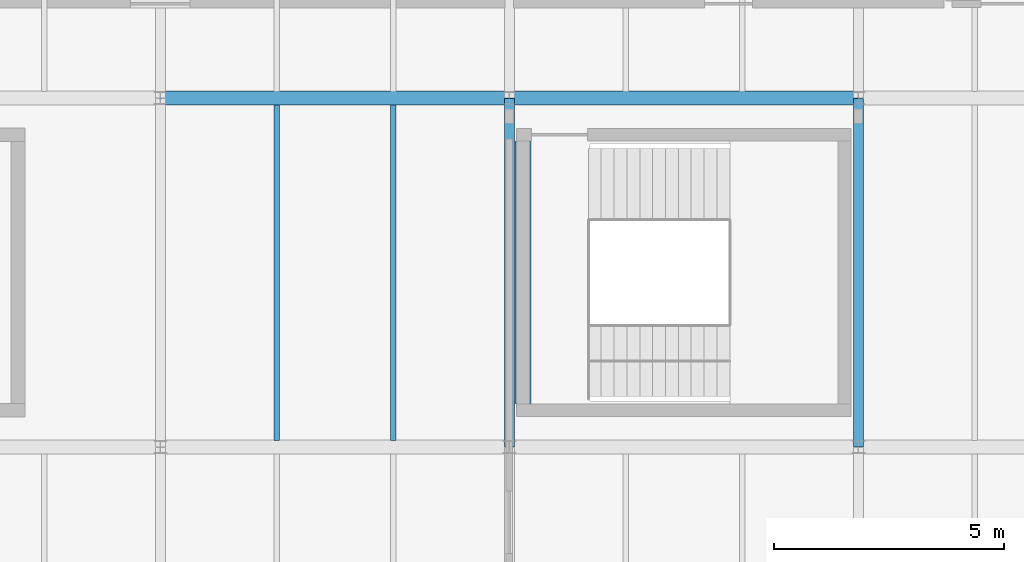
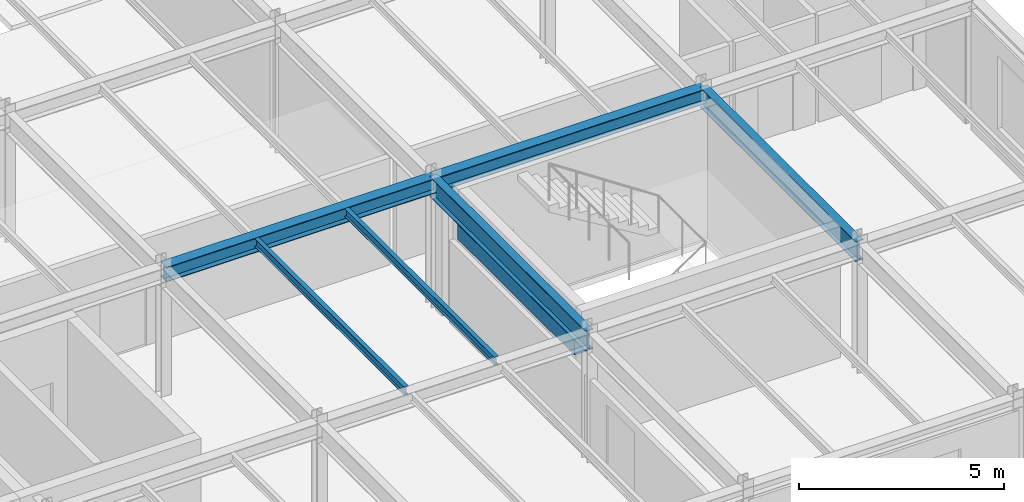
# One storey, part 30 of 165: 7 beams.
"""IFC4 building model written with IfcOpenShell, lengths in metres."""

from ifc_helpers import new_model, si_unit, direction, frame, origin, origin_2d, place, context, subcontext, project, spatial, rectangle, i_section, extrude, material, material_profile, profile_set, type_object, element, save


model = new_model("IFC4")

# Units and contexts
model_context = context("Model", 3, precision=1e-05, world=origin(), true_north=direction((0.0, 1.0)))
body_context = subcontext(model_context, "Body", "Model", "MODEL_VIEW")
ifc_project = project(units=[si_unit("LENGTHUNIT", "METRE"), si_unit("AREAUNIT", "SQUARE_METRE"), si_unit("VOLUMEUNIT", "CUBIC_METRE"), si_unit("PLANEANGLEUNIT", "RADIAN"), si_unit("MASSUNIT", "GRAM", prefix="KILO")], contexts=[model_context])

# Site, building, storey
site_placement = place(None, origin())
site = spatial("IfcSite", under=ifc_project, at=site_placement, CompositionType="ELEMENT")
building_placement = place(site_placement, origin())
building = spatial("IfcBuilding", under=site, at=building_placement, Name="Montecoro Central Library", CompositionType="ELEMENT")
storey_placement = place(building_placement, frame((0.0, 0.0, 5.10009765625)))
storey = spatial("IfcBuildingStorey", under=building, at=storey_placement, Name="L01", CompositionType="ELEMENT", Elevation=5.10009765625)

# Beams
ifc_material_1 = material(Name="Steel S355J2", Category="steel")
ifc_material_profile_1 = material_profile(ifc_material_1, i_section(OverallWidth=0.300048828125, OverallDepth=0.43994140625, WebThickness=0.011474609375, FlangeThickness=0.02099609375, at=origin_2d()), Name="HEA 450")
ifc_profile_set_1 = profile_set([ifc_material_profile_1], Name="Steel S355J2")
beam_type_1 = type_object("IfcBeamType", Name="BM-G-HEA450", PredefinedType="USERDEFINED", material=ifc_profile_set_1)
beam_1_placement = place(storey_placement, frame((20.205078125, 20.199951171875, 3.60498046875), z_axis=(1.0, 0.0, 0.0), x_axis=(0.0, 1.0, 0.0)))
element("IfcBeam", 1, at=beam_1_placement, inside=storey, type_object=beam_type_1, Name="V3-L01-BX-34-C", ObjectType="GIRDER", PredefinedType="USERDEFINED", context=body_context, shape_type="SweptSolid", body=[
    extrude(i_section(OverallWidth=0.300048828125, OverallDepth=0.43994140625, WebThickness=0.011474609375, FlangeThickness=0.02099609375, at=origin_2d()), origin(), (0.0, 0.0, 1.0), 7.58984375),
])
beam_2_placement = place(storey_placement, frame((27.804931640625, 20.199951171875, 3.60498046875), z_axis=(1.0, 0.0, 0.0), x_axis=(0.0, 1.0, 0.0)))
element("IfcBeam", 2, at=beam_2_placement, inside=storey, type_object=beam_type_1, Name="V3-L01-BX-45-C", ObjectType="GIRDER", PredefinedType="USERDEFINED", context=body_context, shape_type="SweptSolid", body=[
    extrude(i_section(OverallWidth=0.300048828125, OverallDepth=0.43994140625, WebThickness=0.011474609375, FlangeThickness=0.02099609375, at=origin_2d()), origin(), (0.0, 0.0, 1.0), 7.590087890625),
])
ifc_material_profile_2 = material_profile(ifc_material_1, i_section(OverallWidth=0.219970703125, OverallDepth=0.60009765625, WebThickness=0.011962890625, FlangeThickness=0.01904296875, at=origin_2d()), Name="IPE 600")
ifc_profile_set_2 = profile_set([ifc_material_profile_2], Name="Steel S355J2")
beam_type_2 = type_object("IfcBeamType", Name="BM-G-IPE600", PredefinedType="USERDEFINED", material=ifc_profile_set_2)
for number, where, z_axis, x_axis, name in (
    (3, (27.800048828125, 12.60498046875, 3.52490234375), (0.0, 1.0, 0.0), (-1.0, 0.0, 0.0), "V3-L01-BY-4-BC"),
    (4, (35.39990234375, 12.60498046875, 3.52490234375), (0.0, 1.0, 0.0), (-1.0, 0.0, 0.0), "V3-L01-BY-5-BC"),
):
    element("IfcBeam", number, at=place(storey_placement, frame(where, z_axis=z_axis, x_axis=x_axis)), inside=storey, type_object=beam_type_2, Name=name, ObjectType="GIRDER", PredefinedType="USERDEFINED", context=body_context, shape_type="SweptSolid", body=[
        extrude(i_section(OverallWidth=0.219970703125, OverallDepth=0.60009765625, WebThickness=0.011962890625, FlangeThickness=0.01904296875, at=origin_2d()), origin(), (0.0, 0.0, 1.0), 7.590087890625),
    ])
ifc_material_2 = material(Name="Steel S355", Category="steel")
ifc_material_profile_3 = material_profile(ifc_material_2, i_section(OverallWidth=0.1201171875, OverallDepth=0.239990234375, WebThickness=0.006103515625, FlangeThickness=0.009765625, at=origin_2d()), Name="IPE 240")
ifc_profile_set_3 = profile_set([ifc_material_profile_3], Name="Steel S355")
beam_type_3 = type_object("IfcBeamType", Name="BM-J-IPE240", PredefinedType="JOIST", material=ifc_profile_set_3)
for number, where, z_axis, x_axis, name in (
    (5, (22.73291015625, 12.7470703125, 3.704833984375), (0.0, 1.0, 0.0), (-1.0, 0.0, 0.0), "V3-L01-JS-34-BC-1"),
    (6, (25.26708984375, 12.7470703125, 3.704833984375), (0.0, 1.0, 0.0), (-1.0, 0.0, 0.0), "V3-L01-JS-34-BC-2"),
):
    element("IfcBeam", number, at=place(storey_placement, frame(where, z_axis=z_axis, x_axis=x_axis)), inside=storey, type_object=beam_type_3, Name=name, PredefinedType="JOIST", context=body_context, shape_type="SweptSolid", body=[
        extrude(i_section(OverallWidth=0.1201171875, OverallDepth=0.239990234375, WebThickness=0.006103515625, FlangeThickness=0.009765625, at=origin_2d()), origin(), (0.0, 0.0, 1.0), 7.305908203125),
    ])
ifc_material_3 = material(Name="Concrete C35/45", Category="concrete")
ifc_material_profile_4 = material_profile(ifc_material_3, rectangle(XDim=0.35009765625, YDim=0.60009765625, at=origin_2d()), Name="RC LNT 600x350")
ifc_profile_set_4 = profile_set([ifc_material_profile_4], Name="Concrete C35/45")
beam_type_4 = type_object("IfcBeamType", Name="BM-LN-RC01", PredefinedType="LINTEL", material=ifc_profile_set_4)
beam_3_placement = place(storey_placement, frame((28.10009765625, 13.550048828125, 2.75), z_axis=(0.0, 1.0, 0.0), x_axis=(-1.0, 0.0, 0.0)))
element("IfcBeam", 7, at=beam_3_placement, inside=storey, type_object=beam_type_4, Name="C11-L01-LNT", PredefinedType="LINTEL", context=body_context, shape_type="SweptSolid", body=[
    extrude(rectangle(XDim=0.35009765625, YDim=0.60009765625, at=origin_2d()), origin(), (0.0, 0.0, 1.0), 5.699951171875),
])

save(model, "model.ifc")
